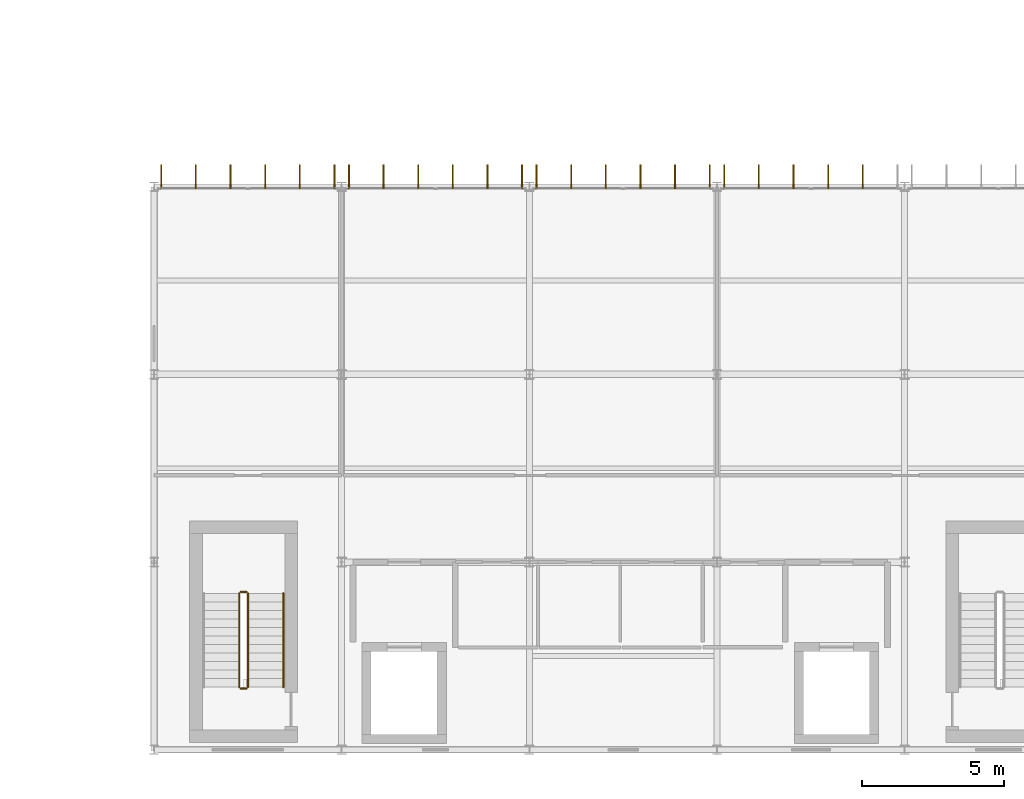
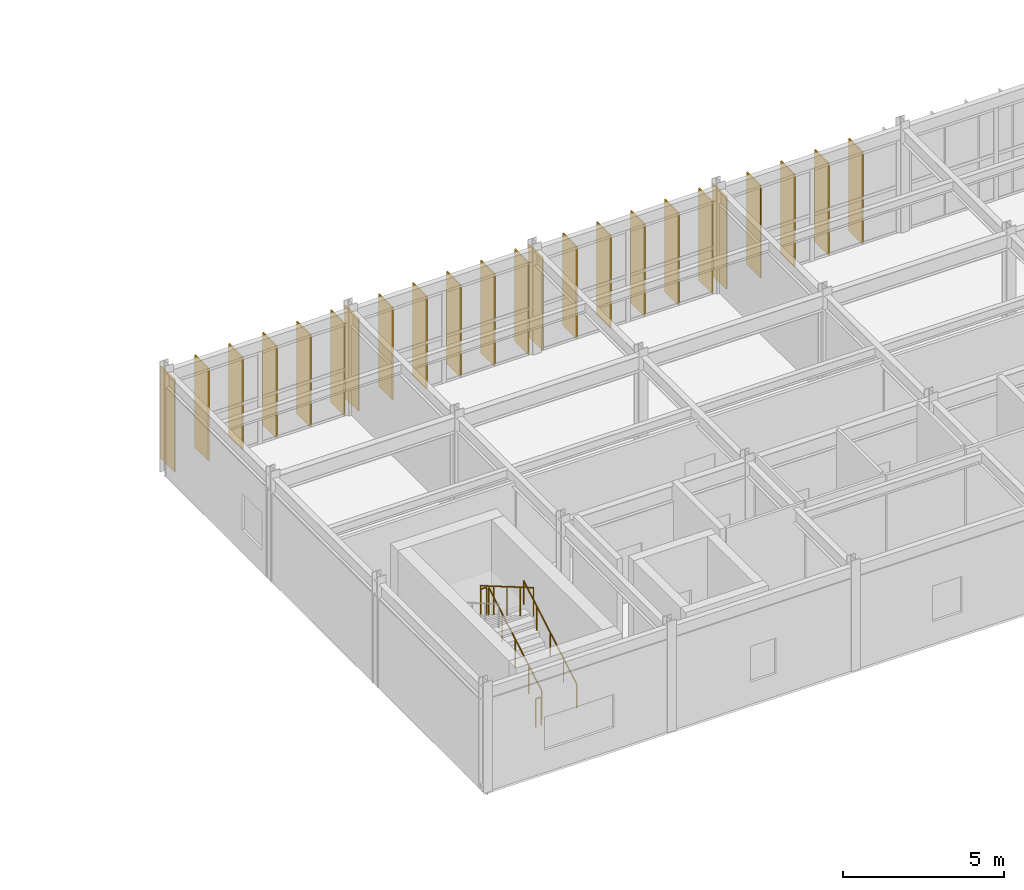
# One storey, part 124 of 130: 23 shading devices, 5 railings.
"""IFC4 building model written with IfcOpenShell, lengths in metres."""

from ifc_helpers import new_model, si_unit, direction, frame, origin, origin_2d, place, context, subcontext, project, spatial, rectangle, circle, extrude, material, layer, layer_set, type_object, element, save


model = new_model("IFC4")

# Units and contexts
model_context = context("Model", 3, precision=1e-05, world=origin(), true_north=direction((0.0, 1.0)))
body_context = subcontext(model_context, "Body", "Model", "MODEL_VIEW")
ifc_project = project(units=[si_unit("LENGTHUNIT", "METRE"), si_unit("AREAUNIT", "SQUARE_METRE"), si_unit("VOLUMEUNIT", "CUBIC_METRE"), si_unit("PLANEANGLEUNIT", "RADIAN"), si_unit("MASSUNIT", "GRAM", prefix="KILO")], contexts=[model_context])

# Site, building, storey
site_placement = place(None, origin())
site = spatial("IfcSite", under=ifc_project, at=site_placement, CompositionType="ELEMENT")
building_placement = place(site_placement, origin())
building = spatial("IfcBuilding", under=site, at=building_placement, Name="Karori Crest Natural Sciences Institute", CompositionType="ELEMENT")
storey_placement = place(building_placement, frame((0.0, 0.0, 17.5)))
storey = spatial("IfcBuildingStorey", under=building, at=storey_placement, Name="L04", CompositionType="ELEMENT", Elevation=17.5)

# Railings
ifc_material_1 = material(Name="Stainless steel 316 tubular handrail", Category="steel")
railing_type_1 = type_object("IfcRailingType", Name="RLT-HND", PredefinedType="HANDRAIL", material=ifc_material_1)
railing_1_placement = place(storey_placement, frame((108.14990234375, 3.0, 0.175048828125)))
element("IfcRailing", 1, at=railing_1_placement, inside=storey, type_object=railing_type_1, Name="Stair handrail RL-0127", PredefinedType="HANDRAIL", context=body_context, shape_type="SweptSolid", body=[
    extrude(circle(Radius=0.02392578125, at=origin_2d()), frame((0.0, 0.0, 0.90087890625), z_axis=(0.0, 0.863776583165, 0.503874998761), x_axis=(-1.0, 0.0, 0.0)), (0.0, 0.0, 1.0), 3.820556640625),
    extrude(circle(Radius=0.02099609375, at=origin_2d()), origin(), (0.0, 0.0, 1.0), 0.876953125),
    extrude(circle(Radius=0.02099609375, at=origin_2d()), frame((0.0, 0.824951171875, 0.481201171875)), (0.0, 0.0, 1.0), 0.876953125),
    extrude(circle(Radius=0.02099609375, at=origin_2d()), frame((0.0, 1.64990234375, 0.96240234375)), (0.0, 0.0, 1.0), 0.876953125),
    extrude(circle(Radius=0.02099609375, at=origin_2d()), frame((0.0, 2.47509765625, 1.44384765625)), (0.0, 0.0, 1.0), 0.876953125),
    extrude(circle(Radius=0.02099609375, at=origin_2d()), frame((0.0, 3.300048828125, 1.925048828125)), (0.0, 0.0, 1.0), 0.876953125),
])
ifc_material_2 = material(Name="Stainless steel 316 stair guard", Category="steel")
railing_type_2 = type_object("IfcRailingType", Name="RLT-STG", PredefinedType="GUARDRAIL", material=ifc_material_2)
railing_2_placement = place(storey_placement, frame((106.89990234375, 3.0, 0.175048828125)))
element("IfcRailing", 2, at=railing_2_placement, inside=storey, type_object=railing_type_2, Name="Stair guard RL-0123", PredefinedType="GUARDRAIL", context=body_context, shape_type="SweptSolid", body=[
    extrude(circle(Radius=0.02392578125, at=origin_2d()), frame((0.0, 0.0, 1.076171875), z_axis=(0.0, 0.863776583165, 0.503874998761), x_axis=(-1.0, 0.0, 0.0)), (0.0, 0.0, 1.0), 3.820556640625),
    extrude(circle(Radius=0.02099609375, at=origin_2d()), origin(), (0.0, 0.0, 1.0), 1.052001953125),
    extrude(circle(Radius=0.02099609375, at=origin_2d()), frame((0.0, 0.824951171875, 0.481201171875)), (0.0, 0.0, 1.0), 1.052001953125),
    extrude(circle(Radius=0.02099609375, at=origin_2d()), frame((0.0, 1.64990234375, 0.96240234375)), (0.0, 0.0, 1.0), 1.052001953125),
    extrude(circle(Radius=0.02099609375, at=origin_2d()), frame((0.0, 2.47509765625, 1.44384765625)), (0.0, 0.0, 1.0), 1.052001953125),
    extrude(circle(Radius=0.02099609375, at=origin_2d()), frame((0.0, 3.300048828125, 1.925048828125)), (0.0, 0.0, 1.0), 1.052001953125),
])
railing_3_placement = place(storey_placement, frame((106.85009765625, 6.35009765625, 2.10009765625)))
element("IfcRailing", 3, at=railing_3_placement, inside=storey, type_object=railing_type_2, Name="Stair guard RL-0124", PredefinedType="GUARDRAIL", context=body_context, shape_type="SweptSolid", body=[
    extrude(circle(Radius=0.02392578125, at=origin_2d()), frame((0.0, 0.0, 1.076171875), z_axis=(-1.0, 0.0, 0.0), x_axis=(0.0, -1.0, 0.0)), (0.0, 0.0, 1.0), 0.2001953125),
    extrude(circle(Radius=0.02099609375, at=origin_2d()), origin(), (0.0, 0.0, 1.0), 1.052001953125),
    extrude(circle(Radius=0.02099609375, at=origin_2d()), frame((-0.2001953125, 0.0, 0.0)), (0.0, 0.0, 1.0), 1.052001953125),
])
railing_4_placement = place(storey_placement, frame((106.60009765625, 6.300048828125, 2.27490234375)))
element("IfcRailing", 4, at=railing_4_placement, inside=storey, type_object=railing_type_2, Name="Stair guard RL-0125", PredefinedType="GUARDRAIL", context=body_context, shape_type="SweptSolid", body=[
    extrude(circle(Radius=0.02392578125, at=origin_2d()), frame((0.0, 0.0, 1.076171875), z_axis=(0.0, -0.863776583165, 0.503874998761), x_axis=(1.0, 0.0, 0.0)), (0.0, 0.0, 1.0), 3.820556640625),
    extrude(circle(Radius=0.02099609375, at=origin_2d()), origin(), (0.0, 0.0, 1.0), 1.052001953125),
    extrude(circle(Radius=0.02099609375, at=origin_2d()), frame((0.0, -0.824951171875, 0.481201171875)), (0.0, 0.0, 1.0), 1.052001953125),
    extrude(circle(Radius=0.02099609375, at=origin_2d()), frame((0.0, -1.64990234375, 0.96240234375)), (0.0, 0.0, 1.0), 1.052001953125),
    extrude(circle(Radius=0.02099609375, at=origin_2d()), frame((0.0, -2.47509765625, 1.44384765625)), (0.0, 0.0, 1.0), 1.052001953125),
    extrude(circle(Radius=0.02099609375, at=origin_2d()), frame((0.0, -3.300048828125, 1.925048828125)), (0.0, 0.0, 1.0), 1.052001953125),
])
railing_5_placement = place(storey_placement, frame((106.85009765625, 2.949951171875, 0.0)))
element("IfcRailing", 5, at=railing_5_placement, inside=storey, type_object=railing_type_2, Name="Stair guard RL-0126", PredefinedType="GUARDRAIL", context=body_context, shape_type="SweptSolid", body=[
    extrude(circle(Radius=0.02392578125, at=origin_2d()), frame((0.0, 0.0, 1.076171875), z_axis=(-1.0, 0.0, 0.0), x_axis=(0.0, -1.0, 0.0)), (0.0, 0.0, 1.0), 0.2001953125),
    extrude(circle(Radius=0.02099609375, at=origin_2d()), origin(), (0.0, 0.0, 1.0), 1.052001953125),
    extrude(circle(Radius=0.02099609375, at=origin_2d()), frame((-0.2001953125, 0.0, 0.0)), (0.0, 0.0, 1.0), 1.052001953125),
])

# Shading devices
ifc_material_3 = material(Name="Anodised architectural aluminium 6063-T6", Category="aluminium")
ifc_layer = layer(ifc_material_3, 0.044921875, Name="Anodised architectural aluminium 6063-T6")
ifc_layer_set = layer_set([ifc_layer], Name="Anodised architectural aluminium 6063-T6")
shading_device_type = type_object("IfcShadingDeviceType", Name="SDT-FIN", PredefinedType="USERDEFINED", material=ifc_layer_set)
for number, where, z_axis, x_axis, name in (
    (6, (103.853515625, 20.949951171875, 0.0), (0.0, 0.0, 1.0), (0.0, 1.0, 0.0), "Vertical solar fin FN-1445"),
    (7, (105.072021484375, 20.949951171875, 0.0), (0.0, 0.0, 1.0), (0.0, 1.0, 0.0), "Vertical solar fin FN-1446"),
    (8, (106.290771484375, 20.949951171875, 0.0), (0.0, 0.0, 1.0), (0.0, 1.0, 0.0), "Vertical solar fin FN-1447"),
    (9, (107.50927734375, 20.949951171875, 0.0), (0.0, 0.0, 1.0), (0.0, 1.0, 0.0), "Vertical solar fin FN-1448"),
    (10, (108.727783203125, 20.949951171875, 0.0), (0.0, 0.0, 1.0), (0.0, 1.0, 0.0), "Vertical solar fin FN-1449"),
    (11, (109.946533203125, 20.949951171875, 0.0), (0.0, 0.0, 1.0), (0.0, 1.0, 0.0), "Vertical solar fin FN-1450"),
    (12, (110.45361328125, 20.949951171875, 0.0), (0.0, 0.0, 1.0), (0.0, 1.0, 0.0), "Vertical solar fin FN-1451"),
    (13, (111.672119140625, 20.949951171875, 0.0), (0.0, 0.0, 1.0), (0.0, 1.0, 0.0), "Vertical solar fin FN-1452"),
    (14, (112.890625, 20.949951171875, 0.0), (0.0, 0.0, 1.0), (0.0, 1.0, 0.0), "Vertical solar fin FN-1453"),
    (15, (114.109375, 20.949951171875, 0.0), (0.0, 0.0, 1.0), (0.0, 1.0, 0.0), "Vertical solar fin FN-1454"),
    (16, (115.327880859375, 20.949951171875, 0.0), (0.0, 0.0, 1.0), (0.0, 1.0, 0.0), "Vertical solar fin FN-1455"),
    (17, (116.54638671875, 20.949951171875, 0.0), (0.0, 0.0, 1.0), (0.0, 1.0, 0.0), "Vertical solar fin FN-1456"),
    (18, (117.053466796875, 20.949951171875, 0.0), (0.0, 0.0, 1.0), (0.0, 1.0, 0.0), "Vertical solar fin FN-1457"),
    (19, (118.272216796875, 20.949951171875, 0.0), (0.0, 0.0, 1.0), (0.0, 1.0, 0.0), "Vertical solar fin FN-1458"),
    (20, (119.49072265625, 20.949951171875, 0.0), (0.0, 0.0, 1.0), (0.0, 1.0, 0.0), "Vertical solar fin FN-1459"),
    (21, (120.709228515625, 20.949951171875, 0.0), (0.0, 0.0, 1.0), (0.0, 1.0, 0.0), "Vertical solar fin FN-1460"),
    (22, (121.927978515625, 20.949951171875, 0.0), (0.0, 0.0, 1.0), (0.0, 1.0, 0.0), "Vertical solar fin FN-1461"),
    (23, (123.146484375, 20.949951171875, 0.0), (0.0, 0.0, 1.0), (0.0, 1.0, 0.0), "Vertical solar fin FN-1462"),
    (24, (123.653564453125, 20.949951171875, 0.0), (0.0, 0.0, 1.0), (0.0, 1.0, 0.0), "Vertical solar fin FN-1463"),
    (25, (124.8720703125, 20.949951171875, 0.0), (0.0, 0.0, 1.0), (0.0, 1.0, 0.0), "Vertical solar fin FN-1464"),
    (26, (126.0908203125, 20.949951171875, 0.0), (0.0, 0.0, 1.0), (0.0, 1.0, 0.0), "Vertical solar fin FN-1465"),
    (27, (127.309326171875, 20.949951171875, 0.0), (0.0, 0.0, 1.0), (0.0, 1.0, 0.0), "Vertical solar fin FN-1466"),
    (28, (128.52783203125, 20.949951171875, 0.0), (0.0, 0.0, 1.0), (0.0, 1.0, 0.0), "Vertical solar fin FN-1467"),
):
    element("IfcShadingDevice", number, at=place(storey_placement, frame(where, z_axis=z_axis, x_axis=x_axis)), inside=storey, type_object=shading_device_type, Name=name, ObjectType="SOLAR_FIN", PredefinedType="USERDEFINED", context=body_context, shape_type="SweptSolid", body=[
        extrude(rectangle(XDim=0.85009765625, YDim=0.044921875, at=origin_2d()), origin(), (0.0, 0.0, 1.0), 3.5048828125),
    ])

save(model, "model.ifc")
